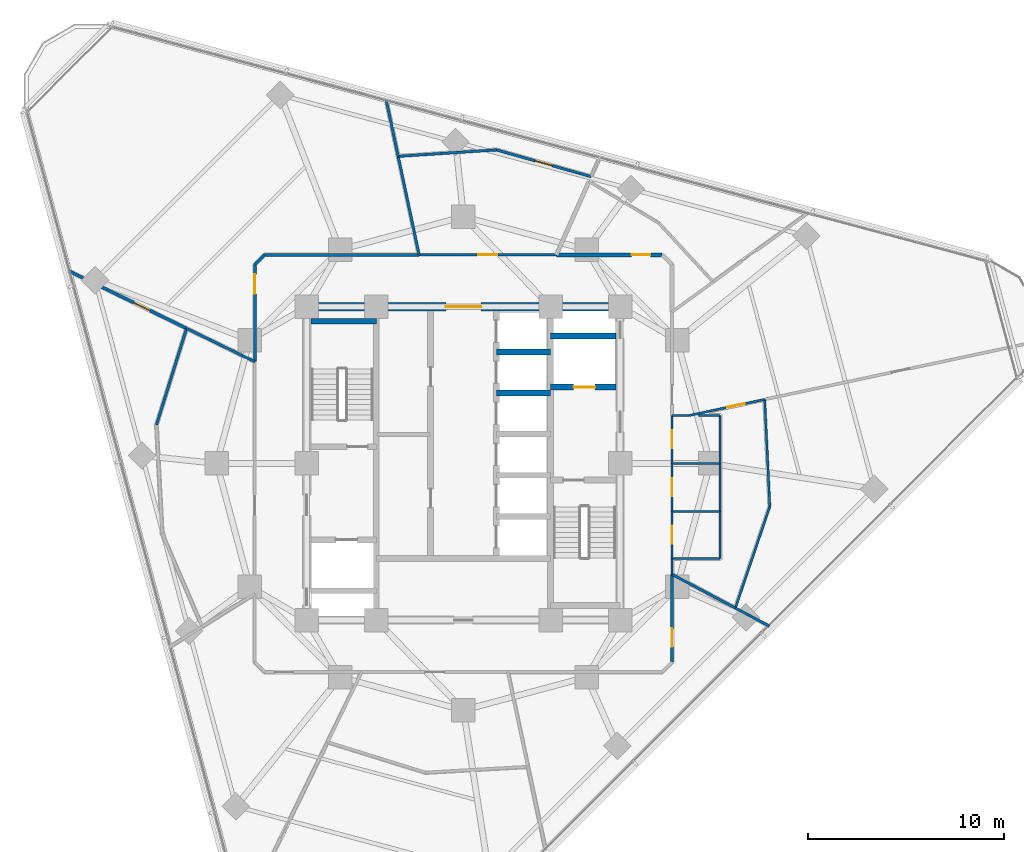
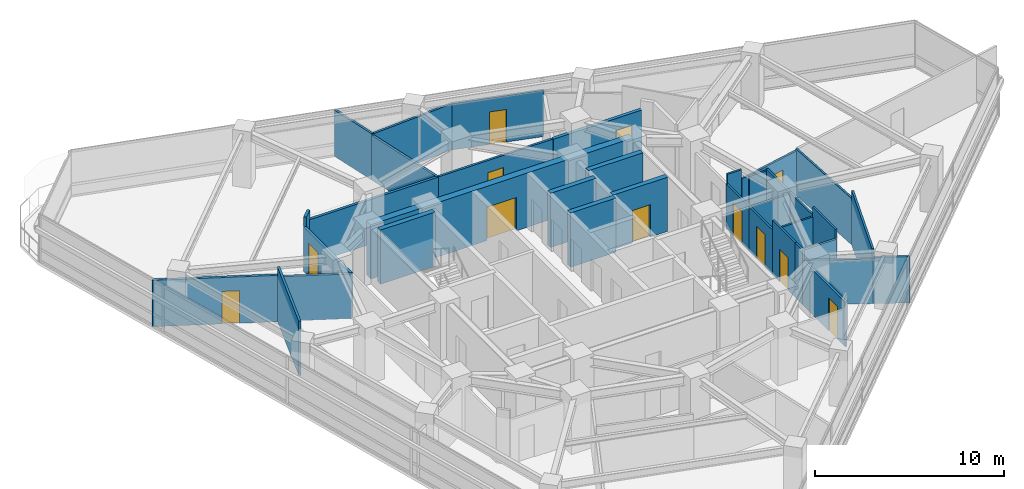
# One storey, part 8 of 14: 36 walls, 12 doors, 12 openings.
"""IFC4 building model written with IfcOpenShell, lengths in metres."""

from ifc_helpers import new_model, si_unit, direction, frame, frame_2d, origin, place, context, subcontext, project, spatial, rectangle, extrude, material, layer, layer_set, type_object, element, fill, save


model = new_model("IFC4")

# Units and contexts
model_context = context("Model", 3, precision=1e-05, world=origin(), true_north=direction((0.0, 1.0)))
body_context = subcontext(model_context, "Body", "Model", "MODEL_VIEW")
ifc_project = project(units=[si_unit("LENGTHUNIT", "METRE"), si_unit("AREAUNIT", "SQUARE_METRE"), si_unit("VOLUMEUNIT", "CUBIC_METRE"), si_unit("PLANEANGLEUNIT", "RADIAN"), si_unit("MASSUNIT", "GRAM", prefix="KILO")], contexts=[model_context])

# Site, building, storey
site_placement = place(None, origin())
site = spatial("IfcSite", under=ifc_project, at=site_placement, CompositionType="ELEMENT")
building_placement = place(site_placement, origin())
building = spatial("IfcBuilding", under=site, at=building_placement, Name="Terralouvre Media Tower", CompositionType="ELEMENT")
storey_placement = place(building_placement, frame((0.0, 0.0, 184.199951171875)))
storey = spatial("IfcBuildingStorey", under=building, at=storey_placement, Name="L47", CompositionType="ELEMENT", Elevation=184.199951171875)

# Wall
ifc_material_1 = material(Name="Concrete C50/60", Category="concrete")
ifc_layer_1 = layer(ifc_material_1, 0.300048828125, Name="Core Internal Shaft Wall CW-300")
ifc_layer_set_1 = layer_set([ifc_layer_1], Name="Concrete C50/60")
wall_type_1 = type_object("IfcWallType", Name="Core Internal Shaft Wall CW-300", PredefinedType="SHEAR", material=ifc_layer_set_1)
wall_1_placement = place(storey_placement, frame((-7.7900390625, 7.260009765625, 0.0), z_axis=(0.0, 0.0, 1.0), x_axis=(1.0, 0.0, 0.0)))
element("IfcWall", 1, at=wall_1_placement, inside=storey, type_object=wall_type_1, Name="L47 Core Shaft Wall ST1F", PredefinedType="SHEAR", context=body_context, shape_type="SweptSolid", body=[
    extrude(rectangle(XDim=3.340087890625, YDim=0.300048828125, at=frame_2d((1.669921875, 0.0))), origin(), (0.0, 0.0, 1.0), 3.5),
])

# Wall, opening, door
wall_2_placement = place(storey_placement, frame((4.449951171875, 3.89990234375, 0.0), z_axis=(0.0, 0.0, 1.0), x_axis=(1.0, 0.0, 0.0)))
wall_2 = element("IfcWall", 2, at=wall_2_placement, inside=storey, type_object=wall_type_1, Name="L47 Core Shaft Wall FF2S", PredefinedType="SHEAR", context=body_context, shape_type="SweptSolid", body=[
    extrude(rectangle(XDim=3.340087890625, YDim=0.300048828125, at=frame_2d((1.669921875, 0.0))), origin(), (0.0, 0.0, 1.0), 3.5),
])
opening_1_placement = place(wall_2_placement, frame((1.179931640625, 0.0, 0.0)))
opening_1 = element("IfcOpeningElement", 3, at=opening_1_placement, cuts=wall_2, Name="Opening LD-FF", PredefinedType="OPENING", context=body_context, shape_type="SweptSolid", body=[
    extrude(rectangle(XDim=1.10009765625, YDim=2.10009765625, at=frame_2d((0.550048828125, 1.050048828125))), frame((0.0, 0.159912109375, 0.0), z_axis=(0.0, -1.0, 0.0), x_axis=(1.0, 0.0, 0.0)), (0.0, 0.0, 1.0), 0.320068359375),
])
ifc_material_2 = material(Name="Stainless steel 316 handrail and balustrade", Category="steel")
door_type_1 = type_object("IfcDoorType", Name="Firefighting Lift Sliding Landing Door LD-FF", OperationType="SLIDING_TO_LEFT", PredefinedType="DOOR", material=ifc_material_2)
door_1_placement = place(opening_1_placement, origin())
door_1 = element("IfcDoor", 4, at=door_1_placement, inside=storey, type_object=door_type_1, Name="L47 Firefighting Lift FFL-02 Landing Door", OperationType="SLIDING_TO_LEFT", OverallHeight=2.10009765625, OverallWidth=1.10009765625, PredefinedType="DOOR", context=body_context, shape_type="SweptSolid", body=[
    extrude(rectangle(XDim=1.10009765625, YDim=2.10009765625, at=frame_2d((0.550048828125, 1.050048828125))), frame((0.0, 0.02490234375, 0.0), z_axis=(0.0, -1.0, 0.0), x_axis=(1.0, 0.0, 0.0)), (0.0, 0.0, 1.0), 0.050048828125),
])
fill(opening_1, door_1)

# Walls
wall_3_placement = place(storey_placement, frame((4.449951171875, 6.5, 0.0), z_axis=(0.0, 0.0, 1.0), x_axis=(1.0, 0.0, 0.0)))
element("IfcWall", 5, at=wall_3_placement, inside=storey, type_object=wall_type_1, Name="L47 Core Shaft Wall FF2N", PredefinedType="SHEAR", context=body_context, shape_type="SweptSolid", body=[
    extrude(rectangle(XDim=3.340087890625, YDim=0.300048828125, at=frame_2d((1.669921875, 0.0))), origin(), (0.0, 0.0, 1.0), 3.5),
])
for number, where, z_axis, x_axis, name in (
    (6, (1.679931640625, 3.60009765625, 0.0), (0.0, 0.0, 1.0), (1.0, 0.0, 0.0), "L47 Core Shaft Wall PLMD1"),
    (7, (1.679931640625, 5.699951171875, 0.0), (0.0, 0.0, 1.0), (1.0, 0.0, 0.0), "L47 Core Shaft Wall PLMD2"),
):
    element("IfcWall", number, at=place(storey_placement, frame(where, z_axis=z_axis, x_axis=x_axis)), inside=storey, type_object=wall_type_1, Name=name, PredefinedType="SHEAR", context=body_context, shape_type="SweptSolid", body=[
        extrude(rectangle(XDim=2.77001953125, YDim=0.300048828125, at=frame_2d((1.385009765625, 0.0))), origin(), (0.0, 0.0, 1.0), 3.5),
    ])

# Wall, opening, door
ifc_material_3 = material(Name="Concrete C60/75", Category="concrete")
ifc_layer_2 = layer(ifc_material_3, 0.419921875, Name="Core Reinforced Concrete Shear Wall CW-420")
ifc_layer_set_2 = layer_set([ifc_layer_2], Name="Concrete C60/75")
wall_type_2 = type_object("IfcWallType", Name="Core Reinforced Concrete Shear Wall CW-420", PredefinedType="SHEAR", material=ifc_layer_set_2)
wall_4_placement = place(storey_placement, frame((-8.0, 8.0, 0.0), z_axis=(0.0, 0.0, 1.0), x_axis=(1.0, 0.0, 0.0)))
wall_4 = element("IfcWall", 8, at=wall_4_placement, inside=storey, type_object=wall_type_2, Name="L47 N Core Shear Wall", PredefinedType="SHEAR", context=body_context, shape_type="SweptSolid", body=[
    extrude(rectangle(XDim=16.0, YDim=0.419921875, at=frame_2d((8.0, 0.0))), origin(), (0.0, 0.0, 1.0), 3.5),
])
opening_2_placement = place(wall_4_placement, frame((7.10009765625, 0.0, 0.0)))
opening_2 = element("IfcOpeningElement", 9, at=opening_2_placement, cuts=wall_4, Name="Opening FD-03", PredefinedType="OPENING", context=body_context, shape_type="SweptSolid", body=[
    extrude(rectangle(XDim=1.800048828125, YDim=2.14990234375, at=frame_2d((0.89990234375, 1.074951171875))), frame((0.0, 0.219970703125, 0.0), z_axis=(0.0, -1.0, 0.0), x_axis=(1.0, 0.0, 0.0)), (0.0, 0.0, 1.0), 0.43994140625),
])
ifc_material_4 = material(Name="Galvanised steel fire-resisting leaf", Category="steel")
door_type_2 = type_object("IfcDoorType", Name="Corridor Smoke-Control Double Door FD-03", OperationType="DOUBLE_DOOR_SINGLE_SWING", PredefinedType="DOOR", material=ifc_material_4)
door_2_placement = place(opening_2_placement, origin())
door_2 = element("IfcDoor", 10, at=door_2_placement, inside=storey, type_object=door_type_2, Name="L47 Central Lift Lobby Portal Door", OperationType="DOUBLE_DOOR_SINGLE_SWING", OverallHeight=2.14990234375, OverallWidth=1.800048828125, PredefinedType="DOOR", context=body_context, shape_type="SweptSolid", body=[
    extrude(rectangle(XDim=1.800048828125, YDim=2.14990234375, at=frame_2d((0.89990234375, 1.074951171875))), frame((0.0, 0.02490234375, 0.0), z_axis=(0.0, -1.0, 0.0), x_axis=(1.0, 0.0, 0.0)), (0.0, 0.0, 1.0), 0.050048828125),
])
fill(opening_2, door_2)

ifc_material_5 = material(Name="Fire-rated gypsum board drywall partition")
ifc_layer_3 = layer(ifc_material_5, 0.199951171875, Name="Fire-Rated Shaft and Lobby Partition FW-200")
ifc_layer_set_3 = layer_set([ifc_layer_3], Name="Fire-rated gypsum board drywall partition")
wall_type_3 = type_object("IfcWallType", Name="Fire-Rated Shaft and Lobby Partition FW-200", PredefinedType="SOLIDWALL", material=ifc_layer_set_3)
wall_5_placement = place(storey_placement, frame((10.14990234375, 10.64990234375, 0.0), z_axis=(0.0, 0.0, 1.0), x_axis=(-1.0, 0.0, 0.0)))
wall_5 = element("IfcWall", 11, at=wall_5_placement, inside=storey, type_object=wall_type_3, Name="L47 Interior Partition 016", PredefinedType="SOLIDWALL", context=body_context, shape_type="SweptSolid", body=[
    extrude(rectangle(XDim=5.407958984375, YDim=0.199951171875, at=frame_2d((2.7041015625, 0.0))), origin(), (0.0, 0.0, 1.0), 2.885009765625),
])
opening_3_placement = place(wall_5_placement, frame((0.606689453125, 0.0, 0.0)))
opening_3 = element("IfcOpeningElement", 12, at=opening_3_placement, cuts=wall_5, Name="Opening FD-02-95X210", PredefinedType="OPENING", context=body_context, shape_type="SweptSolid", body=[
    extrude(rectangle(XDim=0.949951171875, YDim=2.10009765625, at=frame_2d((0.47509765625, 1.050048828125))), frame((0.0, 0.10986328125, 0.0), z_axis=(0.0, -1.0, 0.0), x_axis=(1.0, 0.0, 0.0)), (0.0, 0.0, 1.0), 0.219970703125),
])
ifc_material_6 = material(Name="Galvanised steel fire-resisting leaf", Category="steel")
door_type_3 = type_object("IfcDoorType", Name="Plant and Riser Fire Door FD-02 (950x2100)", OperationType="NOTDEFINED", PredefinedType="DOOR", material=ifc_material_6)
door_3_placement = place(opening_3_placement, origin())
door_3 = element("IfcDoor", 13, at=door_3_placement, inside=storey, type_object=door_type_3, Name="L47 Amplifier Rack Switch Room 10 Door", OperationType="SINGLE_SWING_RIGHT", OverallHeight=2.10009765625, OverallWidth=0.949951171875, PredefinedType="DOOR", context=body_context, shape_type="SweptSolid", body=[
    extrude(rectangle(XDim=0.949951171875, YDim=2.10009765625, at=frame_2d((0.47509765625, 1.050048828125))), frame((0.0, 0.02490234375, 0.0), z_axis=(0.0, -1.0, 0.0), x_axis=(1.0, 0.0, 0.0)), (0.0, 0.0, 1.0), 0.050048828125),
])
fill(opening_3, door_3)

ifc_material_7 = material(Name="Fire-rated gypsum board drywall partition")
ifc_layer_4 = layer(ifc_material_7, 0.135009765625, Name="Newsroom Acoustic Partition PT-135")
ifc_layer_set_4 = layer_set([ifc_layer_4], Name="Fire-rated gypsum board drywall partition")
wall_type_4 = type_object("IfcWallType", Name="Newsroom Acoustic Partition PT-135", PredefinedType="PARTITIONING", material=ifc_layer_set_4)
wall_6_placement = place(storey_placement, frame((10.64990234375, -10.14990234375, 0.0), z_axis=(0.0, 0.0, 1.0), x_axis=(0.0, 1.0, 0.0)))
wall_6 = element("IfcWall", 14, at=wall_6_placement, inside=storey, type_object=wall_type_4, Name="L47 Interior Partition 008", PredefinedType="PARTITIONING", context=body_context, shape_type="SweptSolid", body=[
    extrude(rectangle(XDim=4.48681640625, YDim=0.135009765625, at=frame_2d((2.243408203125, 0.0))), origin(), (0.0, 0.0, 1.0), 2.885009765625),
])
opening_4_placement = place(wall_6_placement, frame((0.781494140625, 0.0, 0.0)))
opening_4 = element("IfcOpeningElement", 15, at=opening_4_placement, cuts=wall_6, Name="Opening ID-02-95X210", PredefinedType="OPENING", context=body_context, shape_type="SweptSolid", body=[
    extrude(rectangle(XDim=0.949951171875, YDim=2.10009765625, at=frame_2d((0.47509765625, 1.050048828125))), frame((0.0, 0.077392578125, 0.0), z_axis=(0.0, -1.0, 0.0), x_axis=(1.0, 0.0, 0.0)), (0.0, 0.0, 1.0), 0.155029296875),
])
ifc_material_8 = material(Name="Engineered hardwood acoustic timber leaf", Category="wood")
door_type_4 = type_object("IfcDoorType", Name="Office and Meeting Room Door ID-02 (950x2100)", OperationType="NOTDEFINED", PredefinedType="DOOR", material=ifc_material_8)
door_4_placement = place(opening_4_placement, origin())
door_4 = element("IfcDoor", 16, at=door_4_placement, inside=storey, type_object=door_type_4, Name="L47 Sound Engineers Crew Room 5 Door", OperationType="SINGLE_SWING_LEFT", OverallHeight=2.10009765625, OverallWidth=0.949951171875, PredefinedType="DOOR", context=body_context, shape_type="SweptSolid", body=[
    extrude(rectangle(XDim=0.949951171875, YDim=2.10009765625, at=frame_2d((0.47509765625, 1.050048828125))), frame((0.0, 0.02490234375, 0.0), z_axis=(0.0, -1.0, 0.0), x_axis=(1.0, 0.0, 0.0)), (0.0, 0.0, 1.0), 0.050048828125),
])
fill(opening_4, door_4)

wall_7_placement = place(storey_placement, frame((4.741943359375, 10.64990234375, 0.0), z_axis=(0.0, 0.0, 1.0), x_axis=(-1.0, 0.0, 0.0)))
wall_7 = element("IfcWall", 17, at=wall_7_placement, inside=storey, type_object=wall_type_4, Name="L47 Interior Partition 017", PredefinedType="PARTITIONING", context=body_context, shape_type="SweptSolid", body=[
    extrude(rectangle(XDim=7.005859375, YDim=0.135009765625, at=frame_2d((3.5029296875, 0.0))), origin(), (0.0, 0.0, 1.0), 2.885009765625),
])
opening_5_placement = place(wall_7_placement, frame((3.028076171875, 0.0, 0.0)))
opening_5 = element("IfcOpeningElement", 18, at=opening_5_placement, cuts=wall_7, Name="Opening ID-02-95X210", PredefinedType="OPENING", context=body_context, shape_type="SweptSolid", body=[
    extrude(rectangle(XDim=0.949951171875, YDim=2.10009765625, at=frame_2d((0.47509765625, 1.050048828125))), frame((0.0, 0.077392578125, 0.0), z_axis=(0.0, -1.0, 0.0), x_axis=(1.0, 0.0, 0.0)), (0.0, 0.0, 1.0), 0.155029296875),
])
door_5_placement = place(opening_5_placement, origin())
door_5 = element("IfcDoor", 19, at=door_5_placement, inside=storey, type_object=door_type_4, Name="L47 Audio Producer Office 11 Door", OperationType="SINGLE_SWING_LEFT", OverallHeight=2.10009765625, OverallWidth=0.949951171875, PredefinedType="DOOR", context=body_context, shape_type="SweptSolid", body=[
    extrude(rectangle(XDim=0.949951171875, YDim=2.10009765625, at=frame_2d((0.47509765625, 1.050048828125))), frame((0.0, 0.02490234375, 0.0), z_axis=(0.0, -1.0, 0.0), x_axis=(1.0, 0.0, 0.0)), (0.0, 0.0, 1.0), 0.050048828125),
])
fill(opening_5, door_5)

# Walls
wall_8_placement = place(storey_placement, frame((-10.64990234375, 5.194091796875, 0.0), z_axis=(0.0, 0.0, 1.0), x_axis=(-0.898773885441, 0.438412480261, 0.0)))
element("IfcWall", 20, at=wall_8_placement, inside=storey, type_object=wall_type_4, Name="L47 Interior Partition 022", PredefinedType="PARTITIONING", context=body_context, shape_type="SweptSolid", body=[
    extrude(rectangle(XDim=3.882080078125, YDim=0.135009765625, at=frame_2d((1.94091796875, 0.0))), origin(), (0.0, 0.0, 1.0), 2.885009765625),
])
wall_9_placement = place(storey_placement, frame((-14.138916015625, 6.89599609375, 0.0), z_axis=(0.0, 0.0, 1.0), x_axis=(-0.298099863076, -0.954534688544, 0.0)))
element("IfcWall", 21, at=wall_9_placement, inside=storey, type_object=wall_type_4, Name="L47 Interior Partition 023", PredefinedType="PARTITIONING", context=body_context, shape_type="SweptSolid", body=[
    extrude(rectangle(XDim=5.15966796875, YDim=0.135009765625, at=frame_2d((2.579833984375, 0.0))), origin(), (0.0, 0.0, 1.0), 3.5),
])
wall_10_placement = place(storey_placement, frame((13.885986328125, -7.383056640625, 0.0), z_axis=(0.0, 0.0, 1.0), x_axis=(-0.88302513666, 0.469325695041, 0.0)))
element("IfcWall", 22, at=wall_10_placement, inside=storey, type_object=wall_type_4, Name="L47 Interior Partition 033", PredefinedType="PARTITIONING", context=body_context, shape_type="SweptSolid", body=[
    extrude(rectangle(XDim=3.664794921875, YDim=0.135009765625, at=frame_2d((1.83251953125, 0.0))), origin(), (0.0, 0.0, 1.0), 2.885009765625),
])
wall_11_placement = place(storey_placement, frame((15.625, -8.3076171875, 0.0), z_axis=(0.0, 0.0, 1.0), x_axis=(-0.882966413063, 0.469436165418, 0.0)))
element("IfcWall", 23, at=wall_11_placement, inside=storey, type_object=wall_type_4, Name="L47 Interior Partition 034", PredefinedType="PARTITIONING", context=body_context, shape_type="SweptSolid", body=[
    extrude(rectangle(XDim=1.969482421875, YDim=0.135009765625, at=frame_2d((0.98486328125, 0.0))), origin(), (0.0, 0.0, 1.0), 2.985107421875),
])

# Wall, opening, door
wall_12_placement = place(storey_placement, frame((6.52099609375, 14.64697265625, 0.0), z_axis=(0.0, 0.0, 1.0), x_axis=(-0.962425920656, 0.271544374364, 0.0)))
wall_12 = element("IfcWall", 24, at=wall_12_placement, inside=storey, type_object=wall_type_4, Name="L47 Interior Partition 053", PredefinedType="PARTITIONING", context=body_context, shape_type="SweptSolid", body=[
    extrude(rectangle(XDim=5.02685546875, YDim=0.135009765625, at=frame_2d((2.513427734375, 0.0))), origin(), (0.0, 0.0, 1.0), 2.985107421875),
])
opening_6_placement = place(wall_12_placement, frame((2.053466796875, 0.0, 0.0)))
opening_6 = element("IfcOpeningElement", 25, at=opening_6_placement, cuts=wall_12, Name="Opening ID-03-92X210", PredefinedType="OPENING", context=body_context, shape_type="SweptSolid", body=[
    extrude(rectangle(XDim=0.919921875, YDim=2.10009765625, at=frame_2d((0.4599609375, 1.050048828125))), frame((0.0, 0.077392578125, 0.0), z_axis=(0.0, -1.0, 0.0), x_axis=(1.0, 0.0, 0.0)), (0.0, 0.0, 1.0), 0.155029296875),
])
ifc_material_9 = material(Name="Engineered hardwood acoustic timber leaf", Category="wood")
door_type_5 = type_object("IfcDoorType", Name="Accessible Restroom and Suite Door ID-03 (920x2100)", OperationType="NOTDEFINED", PredefinedType="DOOR", material=ifc_material_9)
door_6_placement = place(opening_6_placement, origin())
door_6 = element("IfcDoor", 26, at=door_6_placement, inside=storey, type_object=door_type_5, Name="L47 Guest Arrival Reception 12 Door", OperationType="SINGLE_SWING_LEFT", OverallHeight=2.10009765625, OverallWidth=0.919921875, PredefinedType="DOOR", context=body_context, shape_type="SweptSolid", body=[
    extrude(rectangle(XDim=0.919921875, YDim=2.10009765625, at=frame_2d((0.4599609375, 1.050048828125))), frame((0.0, 0.02490234375, 0.0), z_axis=(0.0, -1.0, 0.0), x_axis=(1.0, 0.0, 0.0)), (0.0, 0.0, 1.0), 0.050048828125),
])
fill(opening_6, door_6)

# Walls
wall_13_placement = place(storey_placement, frame((1.68310546875, 16.011962890625, 0.0), z_axis=(0.0, 0.0, 1.0), x_axis=(-0.997858663881, -0.065407086143, 0.0)))
element("IfcWall", 27, at=wall_13_placement, inside=storey, type_object=wall_type_4, Name="L47 Interior Partition 054", PredefinedType="PARTITIONING", context=body_context, shape_type="SweptSolid", body=[
    extrude(rectangle(XDim=5.02783203125, YDim=0.135009765625, at=frame_2d((2.513916015625, 0.0))), origin(), (0.0, 0.0, 1.0), 2.985107421875),
])
wall_14_placement = place(storey_placement, frame((-3.333984375, 15.68310546875, 0.0), z_axis=(0.0, 0.0, 1.0), x_axis=(0.207954085813, -0.978138588439, 0.0)))
element("IfcWall", 28, at=wall_14_placement, inside=storey, type_object=wall_type_4, Name="L47 Interior Partition 055", PredefinedType="PARTITIONING", context=body_context, shape_type="SweptSolid", body=[
    extrude(rectangle(XDim=5.145751953125, YDim=0.135009765625, at=frame_2d((2.57275390625, 0.0))), origin(), (0.0, 0.0, 1.0), 2.885009765625),
])
wall_15_placement = place(storey_placement, frame((-3.949462890625, 18.578125, 0.0), z_axis=(0.0, 0.0, 1.0), x_axis=(0.207951490347, -0.978139140236, 0.0)))
element("IfcWall", 29, at=wall_15_placement, inside=storey, type_object=wall_type_4, Name="L47 Interior Partition 056", PredefinedType="PARTITIONING", context=body_context, shape_type="SweptSolid", body=[
    extrude(rectangle(XDim=2.959716796875, YDim=0.135009765625, at=frame_2d((1.47998046875, 0.0))), origin(), (0.0, 0.0, 1.0), 2.985107421875),
])

# Wall, opening, door
ifc_material_10 = material(Name="Fire-rated gypsum board drywall partition")
ifc_layer_5 = layer(ifc_material_10, 0.114990234375, Name="Restroom and Pantry Partition PT-115")
ifc_layer_set_5 = layer_set([ifc_layer_5], Name="Fire-rated gypsum board drywall partition")
wall_type_5 = type_object("IfcWallType", Name="Restroom and Pantry Partition PT-115", PredefinedType="PARTITIONING", material=ifc_layer_set_5)
wall_16_placement = place(storey_placement, frame((10.64990234375, -4.85009765625, 0.0), z_axis=(0.0, 0.0, 1.0), x_axis=(0.0, 1.0, 0.0)))
wall_16 = element("IfcWall", 30, at=wall_16_placement, inside=storey, type_object=wall_type_5, Name="L47 Interior Partition 009", PredefinedType="PARTITIONING", context=body_context, shape_type="SweptSolid", body=[
    extrude(rectangle(XDim=2.400146484375, YDim=0.114990234375, at=frame_2d((1.2001953125, 0.0))), origin(), (0.0, 0.0, 1.0), 3.5),
])
opening_7_placement = place(wall_16_placement, frame((0.739990234375, 0.0, 0.0)))
opening_7 = element("IfcOpeningElement", 31, at=opening_7_placement, cuts=wall_16, Name="Opening ID-03-92X210", PredefinedType="OPENING", context=body_context, shape_type="SweptSolid", body=[
    extrude(rectangle(XDim=0.919921875, YDim=2.10009765625, at=frame_2d((0.4599609375, 1.050048828125))), frame((0.0, 0.0673828125, 0.0), z_axis=(0.0, -1.0, 0.0), x_axis=(1.0, 0.0, 0.0)), (0.0, 0.0, 1.0), 0.135009765625),
])
door_7_placement = place(opening_7_placement, origin())
door_7 = element("IfcDoor", 32, at=door_7_placement, inside=storey, type_object=door_type_5, Name="L47 Male Restroom WC Door", OperationType="SINGLE_SWING_RIGHT", OverallHeight=2.10009765625, OverallWidth=0.919921875, PredefinedType="DOOR", context=body_context, shape_type="SweptSolid", body=[
    extrude(rectangle(XDim=0.919921875, YDim=2.10009765625, at=frame_2d((0.4599609375, 1.050048828125))), frame((0.0, 0.02490234375, 0.0), z_axis=(0.0, -1.0, 0.0), x_axis=(1.0, 0.0, 0.0)), (0.0, 0.0, 1.0), 0.050048828125),
])
fill(opening_7, door_7)

# Wall
wall_17_placement = place(storey_placement, frame((10.64990234375, -5.6630859375, 0.0), z_axis=(0.0, 0.0, 1.0), x_axis=(0.0, 1.0, 0.0)))
element("IfcWall", 33, at=wall_17_placement, inside=storey, type_object=wall_type_5, Name="L47 Interior Partition 010", PredefinedType="PARTITIONING", context=body_context, shape_type="SweptSolid", body=[
    extrude(rectangle(XDim=0.81298828125, YDim=0.114990234375, at=frame_2d((0.406494140625, 0.0))), origin(), (0.0, 0.0, 1.0), 3.5),
])

# Wall, opening, door
wall_18_placement = place(storey_placement, frame((10.64990234375, -2.449951171875, 0.0), z_axis=(0.0, 0.0, 1.0), x_axis=(0.0, 1.0, 0.0)))
wall_18 = element("IfcWall", 34, at=wall_18_placement, inside=storey, type_object=wall_type_5, Name="L47 Interior Partition 011", PredefinedType="PARTITIONING", context=body_context, shape_type="SweptSolid", body=[
    extrude(rectangle(XDim=2.449951171875, YDim=0.114990234375, at=frame_2d((1.22509765625, 0.0))), origin(), (0.0, 0.0, 1.0), 2.885009765625),
])
opening_8_placement = place(wall_18_placement, frame((0.764892578125, 0.0, 0.0)))
opening_8 = element("IfcOpeningElement", 35, at=opening_8_placement, cuts=wall_18, Name="Opening ID-03-92X210", PredefinedType="OPENING", context=body_context, shape_type="SweptSolid", body=[
    extrude(rectangle(XDim=0.919921875, YDim=2.10009765625, at=frame_2d((0.4599609375, 1.050048828125))), frame((0.0, 0.0673828125, 0.0), z_axis=(0.0, -1.0, 0.0), x_axis=(1.0, 0.0, 0.0)), (0.0, 0.0, 1.0), 0.135009765625),
])
door_8_placement = place(opening_8_placement, origin())
door_8 = element("IfcDoor", 36, at=door_8_placement, inside=storey, type_object=door_type_5, Name="L47 Female Restroom WC Door", OperationType="SINGLE_SWING_LEFT", OverallHeight=2.10009765625, OverallWidth=0.919921875, PredefinedType="DOOR", context=body_context, shape_type="SweptSolid", body=[
    extrude(rectangle(XDim=0.919921875, YDim=2.10009765625, at=frame_2d((0.4599609375, 1.050048828125))), frame((0.0, 0.02490234375, 0.0), z_axis=(0.0, -1.0, 0.0), x_axis=(1.0, 0.0, 0.0)), (0.0, 0.0, 1.0), 0.050048828125),
])
fill(opening_8, door_8)

wall_19_placement = place(storey_placement, frame((10.64990234375, 0.0, 0.0), z_axis=(0.0, 0.0, 1.0), x_axis=(0.0, 1.0, 0.0)))
wall_19 = element("IfcWall", 37, at=wall_19_placement, inside=storey, type_object=wall_type_5, Name="L47 Interior Partition 012", PredefinedType="PARTITIONING", context=body_context, shape_type="SweptSolid", body=[
    extrude(rectangle(XDim=2.449951171875, YDim=0.114990234375, at=frame_2d((1.22509765625, 0.0))), origin(), (0.0, 0.0, 1.0), 2.885009765625),
])
opening_9_placement = place(wall_19_placement, frame((0.764892578125, 0.0, 0.0)))
opening_9 = element("IfcOpeningElement", 38, at=opening_9_placement, cuts=wall_19, Name="Opening ID-03-92X210", PredefinedType="OPENING", context=body_context, shape_type="SweptSolid", body=[
    extrude(rectangle(XDim=0.919921875, YDim=2.10009765625, at=frame_2d((0.4599609375, 1.050048828125))), frame((0.0, 0.0673828125, 0.0), z_axis=(0.0, -1.0, 0.0), x_axis=(1.0, 0.0, 0.0)), (0.0, 0.0, 1.0), 0.135009765625),
])
door_9_placement = place(opening_9_placement, origin())
door_9 = element("IfcDoor", 39, at=door_9_placement, inside=storey, type_object=door_type_5, Name="L47 Accessible Unisex WC Door", OperationType="SINGLE_SWING_RIGHT", OverallHeight=2.10009765625, OverallWidth=0.919921875, PredefinedType="DOOR", context=body_context, shape_type="SweptSolid", body=[
    extrude(rectangle(XDim=0.919921875, YDim=2.10009765625, at=frame_2d((0.4599609375, 1.050048828125))), frame((0.0, 0.02490234375, 0.0), z_axis=(0.0, -1.0, 0.0), x_axis=(1.0, 0.0, 0.0)), (0.0, 0.0, 1.0), 0.050048828125),
])
fill(opening_9, door_9)

# Walls
wall_20_placement = place(storey_placement, frame((10.64990234375, -4.85009765625, 0.0), z_axis=(0.0, 0.0, 1.0), x_axis=(1.0, 0.0, 0.0)))
element("IfcWall", 40, at=wall_20_placement, inside=storey, type_object=wall_type_5, Name="L47 Interior Partition 035", PredefinedType="PARTITIONING", context=body_context, shape_type="SweptSolid", body=[
    extrude(rectangle(XDim=2.4501953125, YDim=0.114990234375, at=frame_2d((1.22509765625, 0.0))), origin(), (0.0, 0.0, 1.0), 2.885009765625),
])
wall_21_placement = place(storey_placement, frame((13.10009765625, -4.85009765625, 0.0), z_axis=(0.0, 0.0, 1.0), x_axis=(0.0, 1.0, 0.0)))
element("IfcWall", 41, at=wall_21_placement, inside=storey, type_object=wall_type_5, Name="L47 Interior Partition 036", PredefinedType="PARTITIONING", context=body_context, shape_type="SweptSolid", body=[
    extrude(rectangle(XDim=2.400146484375, YDim=0.114990234375, at=frame_2d((1.2001953125, 0.0))), origin(), (0.0, 0.0, 1.0), 3.5),
])
wall_22_placement = place(storey_placement, frame((13.10009765625, -2.449951171875, 0.0), z_axis=(0.0, 0.0, 1.0), x_axis=(-1.0, 0.0, 0.0)))
element("IfcWall", 42, at=wall_22_placement, inside=storey, type_object=wall_type_5, Name="L47 Interior Partition 037", PredefinedType="PARTITIONING", context=body_context, shape_type="SweptSolid", body=[
    extrude(rectangle(XDim=2.4501953125, YDim=0.114990234375, at=frame_2d((1.22509765625, 0.0))), origin(), (0.0, 0.0, 1.0), 2.885009765625),
])
wall_23_placement = place(storey_placement, frame((13.10009765625, 0.0, 0.0), z_axis=(0.0, 0.0, 1.0), x_axis=(0.0, -1.0, 0.0)))
element("IfcWall", 43, at=wall_23_placement, inside=storey, type_object=wall_type_5, Name="L47 Interior Partition 038", PredefinedType="PARTITIONING", context=body_context, shape_type="SweptSolid", body=[
    extrude(rectangle(XDim=2.449951171875, YDim=0.114990234375, at=frame_2d((1.22509765625, 0.0))), origin(), (0.0, 0.0, 1.0), 2.985107421875),
])
wall_24_placement = place(storey_placement, frame((13.885986328125, -7.383056640625, 0.0), z_axis=(0.0, 0.0, 1.0), x_axis=(0.321480582018, 0.946916171255, 0.0)))
element("IfcWall", 44, at=wall_24_placement, inside=storey, type_object=wall_type_5, Name="L47 Interior Partition 039", PredefinedType="PARTITIONING", context=body_context, shape_type="SweptSolid", body=[
    extrude(rectangle(XDim=5.474609375, YDim=0.114990234375, at=frame_2d((2.7373046875, 0.0))), origin(), (0.0, 0.0, 1.0), 3.5),
])
wall_25_placement = place(storey_placement, frame((15.64599609375, -2.198974609375, 0.0), z_axis=(0.0, 0.0, 1.0), x_axis=(-0.047844791808, 0.998854782187, 0.0)))
element("IfcWall", 45, at=wall_25_placement, inside=storey, type_object=wall_type_5, Name="L47 Interior Partition 040", PredefinedType="PARTITIONING", context=body_context, shape_type="SweptSolid", body=[
    extrude(rectangle(XDim=5.475341796875, YDim=0.114990234375, at=frame_2d((2.73779296875, 0.0))), origin(), (0.0, 0.0, 1.0), 2.985107421875),
])
wall_26_placement = place(storey_placement, frame((12.007080078125, 2.449951171875, 0.0), z_axis=(0.0, 0.0, 1.0), x_axis=(1.0, 0.0, 0.0)))
element("IfcWall", 46, at=wall_26_placement, inside=storey, type_object=wall_type_5, Name="L47 Interior Partition 041", PredefinedType="PARTITIONING", context=body_context, shape_type="SweptSolid", body=[
    extrude(rectangle(XDim=1.093017578125, YDim=0.114990234375, at=frame_2d((0.54638671875, 0.0))), origin(), (0.0, 0.0, 1.0), 2.885009765625),
])
wall_27_placement = place(storey_placement, frame((13.10009765625, 2.449951171875, 0.0), z_axis=(0.0, 0.0, 1.0), x_axis=(0.0, -1.0, 0.0)))
element("IfcWall", 47, at=wall_27_placement, inside=storey, type_object=wall_type_5, Name="L47 Interior Partition 042", PredefinedType="PARTITIONING", context=body_context, shape_type="SweptSolid", body=[
    extrude(rectangle(XDim=2.449951171875, YDim=0.114990234375, at=frame_2d((1.22509765625, 0.0))), origin(), (0.0, 0.0, 1.0), 2.985107421875),
])

# Wall, opening, door
wall_28_placement = place(storey_placement, frame((15.384033203125, 3.27001953125, 0.0), z_axis=(0.0, 0.0, 1.0), x_axis=(-0.978147995284, -0.207909834598, 0.0)))
wall_28 = element("IfcWall", 48, at=wall_28_placement, inside=storey, type_object=wall_type_5, Name="L47 Interior Partition 043", PredefinedType="PARTITIONING", context=body_context, shape_type="SweptSolid", body=[
    extrude(rectangle(XDim=3.9443359375, YDim=0.114990234375, at=frame_2d((1.97216796875, 0.0))), origin(), (0.0, 0.0, 1.0), 2.885009765625),
])
opening_10_placement = place(wall_28_placement, frame((1.038818359375, 0.0, 0.0)))
opening_10 = element("IfcOpeningElement", 49, at=opening_10_placement, cuts=wall_28, Name="Opening ID-03-92X210", PredefinedType="OPENING", context=body_context, shape_type="SweptSolid", body=[
    extrude(rectangle(XDim=0.919921875, YDim=2.10009765625, at=frame_2d((0.4599609375, 1.050048828125))), frame((0.0, 0.0673828125, 0.0), z_axis=(0.0, -1.0, 0.0), x_axis=(1.0, 0.0, 0.0)), (0.0, 0.0, 1.0), 0.135009765625),
])
door_10_placement = place(opening_10_placement, origin())
door_10 = element("IfcDoor", 50, at=door_10_placement, inside=storey, type_object=door_type_5, Name="L47 Artist Hospitality Kitchen 6 Door", OperationType="SINGLE_SWING_RIGHT", OverallHeight=2.10009765625, OverallWidth=0.919921875, PredefinedType="DOOR", context=body_context, shape_type="SweptSolid", body=[
    extrude(rectangle(XDim=0.919921875, YDim=2.10009765625, at=frame_2d((0.4599609375, 1.050048828125))), frame((0.0, 0.02490234375, 0.0), z_axis=(0.0, -1.0, 0.0), x_axis=(1.0, 0.0, 0.0)), (0.0, 0.0, 1.0), 0.050048828125),
])
fill(opening_10, door_10)

# Walls
wall_29_placement = place(storey_placement, frame((13.10009765625, 0.0, 0.0), z_axis=(0.0, 0.0, 1.0), x_axis=(-1.0, 0.0, 0.0)))
element("IfcWall", 51, at=wall_29_placement, inside=storey, type_object=wall_type_5, Name="L47 Interior Partition 044", PredefinedType="PARTITIONING", context=body_context, shape_type="SweptSolid", body=[
    extrude(rectangle(XDim=2.4501953125, YDim=0.114990234375, at=frame_2d((1.22509765625, 0.0))), origin(), (0.0, 0.0, 1.0), 2.885009765625),
])
wall_30_placement = place(storey_placement, frame((11.52587890625, 2.449951171875, 0.0), z_axis=(0.0, 0.0, 1.0), x_axis=(-1.0, 0.0, 0.0)))
element("IfcWall", 52, at=wall_30_placement, inside=storey, type_object=wall_type_5, Name="L47 Interior Partition 046", PredefinedType="PARTITIONING", context=body_context, shape_type="SweptSolid", body=[
    extrude(rectangle(XDim=0.8759765625, YDim=0.114990234375, at=frame_2d((0.43798828125, 0.0))), origin(), (0.0, 0.0, 1.0), 3.5),
])
ifc_material_11 = material(Name="Fire-rated gypsum board drywall partition")
ifc_layer_6 = layer(ifc_material_11, 0.159912109375, Name="Studio Acoustic Rated Partition PT-160")
ifc_layer_set_6 = layer_set([ifc_layer_6], Name="Fire-rated gypsum board drywall partition")
wall_type_6 = type_object("IfcWallType", Name="Studio Acoustic Rated Partition PT-160", PredefinedType="PARTITIONING", material=ifc_layer_set_6)
wall_31_placement = place(storey_placement, frame((-2.263916015625, 10.64990234375, 0.0), z_axis=(0.0, 0.0, 1.0), x_axis=(-1.0, 0.0, 0.0)))
element("IfcWall", 53, at=wall_31_placement, inside=storey, type_object=wall_type_6, Name="L47 Interior Partition 018", PredefinedType="PARTITIONING", context=body_context, shape_type="SweptSolid", body=[
    extrude(rectangle(XDim=7.885986328125, YDim=0.159912109375, at=frame_2d((3.94287109375, 0.0))), origin(), (0.0, 0.0, 1.0), 2.885009765625),
])
wall_32_placement = place(storey_placement, frame((-10.14990234375, 10.64990234375, 0.0), z_axis=(0.0, 0.0, 1.0), x_axis=(-0.707106781187, -0.707106781187, 0.0)))
element("IfcWall", 54, at=wall_32_placement, inside=storey, type_object=wall_type_6, Name="L47 Interior Partition 019", PredefinedType="PARTITIONING", context=body_context, shape_type="SweptSolid", body=[
    extrude(rectangle(XDim=0.70703125, YDim=0.159912109375, at=frame_2d((0.353515625, 0.0))), origin(), (0.0, 0.0, 1.0), 3.5),
])

# Wall, opening, door
wall_33_placement = place(storey_placement, frame((-10.64990234375, 10.14990234375, 0.0), z_axis=(0.0, 0.0, 1.0), x_axis=(0.0, -1.0, 0.0)))
wall_33 = element("IfcWall", 55, at=wall_33_placement, inside=storey, type_object=wall_type_6, Name="L47 Interior Partition 020", PredefinedType="PARTITIONING", context=body_context, shape_type="SweptSolid", body=[
    extrude(rectangle(XDim=4.955810546875, YDim=0.159912109375, at=frame_2d((2.47802734375, 0.0))), origin(), (0.0, 0.0, 1.0), 2.885009765625),
])
opening_11_placement = place(wall_33_placement, frame((0.4912109375, 0.0, 0.0)))
opening_11 = element("IfcOpeningElement", 56, at=opening_11_placement, cuts=wall_33, Name="Opening ID-01-100X215", PredefinedType="OPENING", context=body_context, shape_type="SweptSolid", body=[
    extrude(rectangle(XDim=1.0, YDim=2.14990234375, at=frame_2d((0.5, 1.074951171875))), frame((0.0, 0.08984375, 0.0), z_axis=(0.0, -1.0, 0.0), x_axis=(1.0, 0.0, 0.0)), (0.0, 0.0, 1.0), 0.179931640625),
])
ifc_material_12 = material(Name="Engineered hardwood acoustic timber leaf", Category="wood")
door_type_6 = type_object("IfcDoorType", Name="Broadcast Studio Acoustic Single Door ID-01 (1000x2150)", OperationType="NOTDEFINED", PredefinedType="DOOR", material=ifc_material_12)
door_11_placement = place(opening_11_placement, origin())
door_11 = element("IfcDoor", 57, at=door_11_placement, inside=storey, type_object=door_type_6, Name="L47 Audio Mastering Control Room 13 Door", OperationType="SINGLE_SWING_RIGHT", OverallHeight=2.14990234375, OverallWidth=1.0, PredefinedType="DOOR", context=body_context, shape_type="SweptSolid", body=[
    extrude(rectangle(XDim=1.0, YDim=2.14990234375, at=frame_2d((0.5, 1.074951171875))), frame((0.0, 0.02490234375, 0.0), z_axis=(0.0, -1.0, 0.0), x_axis=(1.0, 0.0, 0.0)), (0.0, 0.0, 1.0), 0.050048828125),
])
fill(opening_11, door_11)

wall_34_placement = place(storey_placement, frame((-20.15380859375, 9.829345703125, 0.0), z_axis=(0.0, 0.0, 1.0), x_axis=(0.898812268895, -0.43833378296, 0.0)))
wall_34 = element("IfcWall", 58, at=wall_34_placement, inside=storey, type_object=wall_type_6, Name="L47 Interior Partition 057", PredefinedType="PARTITIONING", context=body_context, shape_type="SweptSolid", body=[
    extrude(rectangle(XDim=6.692138671875, YDim=0.159912109375, at=frame_2d((3.34619140625, 0.0))), origin(), (0.0, 0.0, 1.0), 2.985107421875),
])
opening_12_placement = place(wall_34_placement, frame((3.68896484375, 0.0, 0.0)))
opening_12 = element("IfcOpeningElement", 59, at=opening_12_placement, cuts=wall_34, Name="Opening ID-03-92X210", PredefinedType="OPENING", context=body_context, shape_type="SweptSolid", body=[
    extrude(rectangle(XDim=0.919921875, YDim=2.10009765625, at=frame_2d((0.4599609375, 1.050048828125))), frame((0.0, 0.08984375, 0.0), z_axis=(0.0, -1.0, 0.0), x_axis=(1.0, 0.0, 0.0)), (0.0, 0.0, 1.0), 0.179931640625),
])
door_12_placement = place(opening_12_placement, origin())
door_12 = element("IfcDoor", 60, at=door_12_placement, inside=storey, type_object=door_type_5, Name="L47 Radio Continuity Control Room 14 Door", OperationType="SINGLE_SWING_RIGHT", OverallHeight=2.10009765625, OverallWidth=0.919921875, PredefinedType="DOOR", context=body_context, shape_type="SweptSolid", body=[
    extrude(rectangle(XDim=0.919921875, YDim=2.10009765625, at=frame_2d((0.4599609375, 1.050048828125))), frame((0.0, 0.02490234375, 0.0), z_axis=(0.0, -1.0, 0.0), x_axis=(1.0, 0.0, 0.0)), (0.0, 0.0, 1.0), 0.050048828125),
])
fill(opening_12, door_12)

save(model, "model.ifc")
